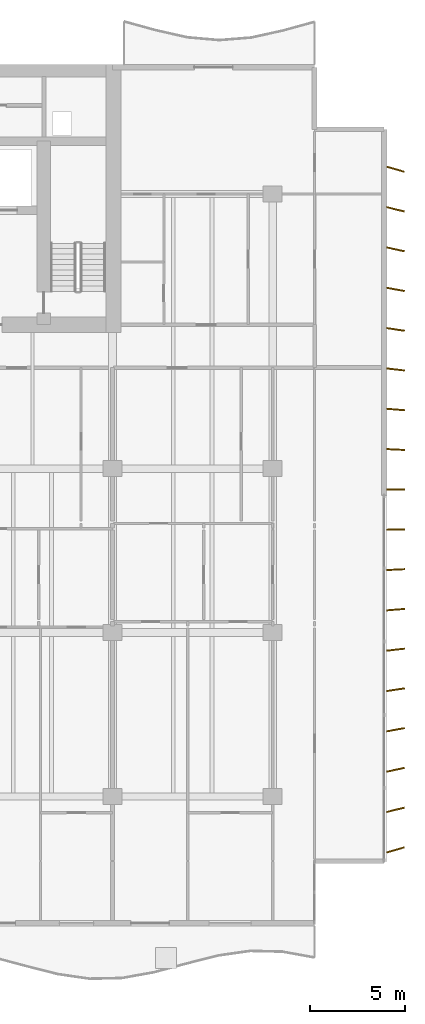
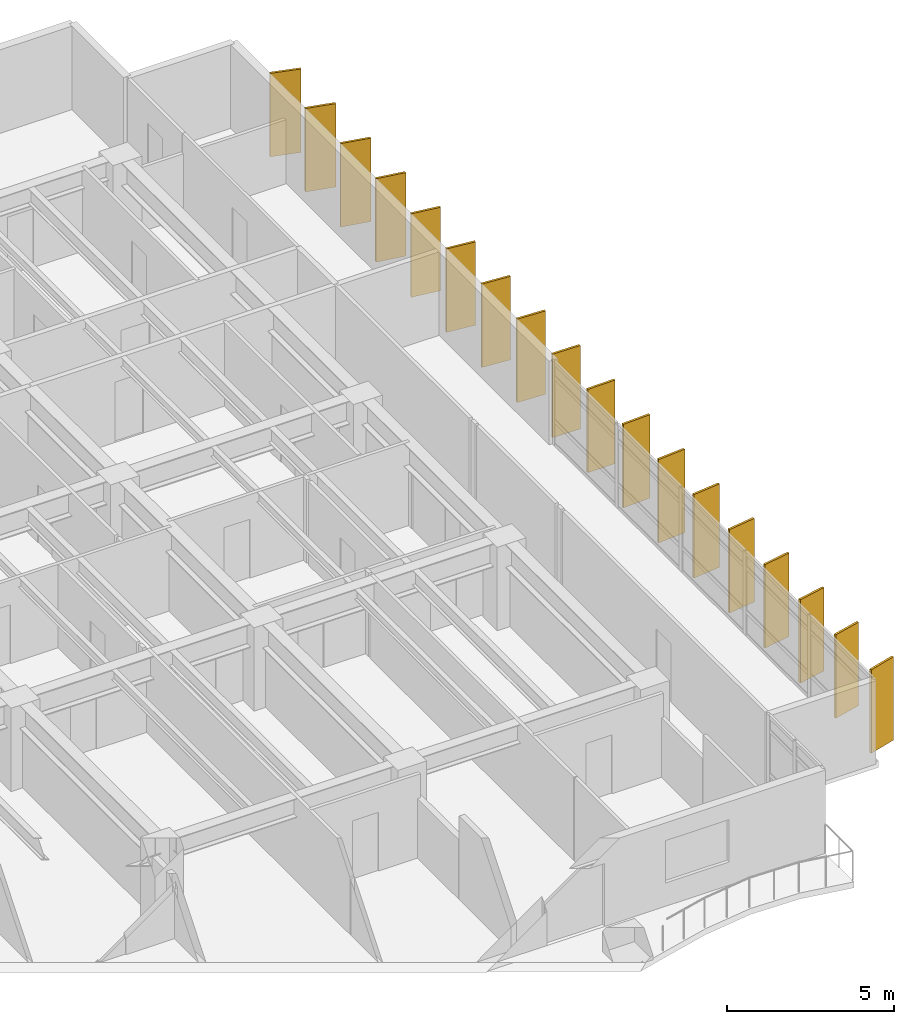
# One storey, part 18 of 18: 18 shading devices.
"""IFC4 building model written with IfcOpenShell, lengths in metres."""

from ifc_helpers import new_model, si_unit, direction, frame, origin, origin_2d, place, context, subcontext, project, spatial, rectangle, extrude, material, material_profile, profile_set, type_object, element, save


model = new_model("IFC4")

# Units and contexts
model_context = context("Model", 3, precision=1e-05, world=origin(), true_north=direction((0.0, 1.0)))
body_context = subcontext(model_context, "Body", "Model", "MODEL_VIEW")
ifc_project = project(units=[si_unit("LENGTHUNIT", "METRE"), si_unit("AREAUNIT", "SQUARE_METRE"), si_unit("VOLUMEUNIT", "CUBIC_METRE"), si_unit("PLANEANGLEUNIT", "RADIAN"), si_unit("MASSUNIT", "GRAM", prefix="KILO")], contexts=[model_context])

# Site, building, storey
site_placement = place(None, origin())
site = spatial("IfcSite", under=ifc_project, at=site_placement, CompositionType="ELEMENT")
building_placement = place(site_placement, origin())
building = spatial("IfcBuilding", under=site, at=building_placement, Name="Caelmar Bay Residences", CompositionType="ELEMENT")
storey_placement = place(building_placement, frame((0.0, 0.0, 129.0)))
storey = spatial("IfcBuildingStorey", under=building, at=storey_placement, Name="L35", CompositionType="ELEMENT", Elevation=129.0)

# Shading devices
ifc_material = material(Name="Anodised architectural bronze aluminium 6063-T6", Category="aluminium")
ifc_material_profile = material_profile(ifc_material, rectangle(XDim=0.074951171875, YDim=0.949951171875, at=origin_2d()), Name="BRONZE-FIN-75X950")
ifc_profile_set = profile_set([ifc_material_profile], Name="Anodised architectural bronze aluminium 6063-T6")
shading_device_type = type_object("IfcShadingDeviceType", Name="SHD-FIN-950", PredefinedType="USERDEFINED", material=ifc_profile_set)
for number, where, z_axis, x_axis, name in (
    (1, (74.35009765625, 9.39990234375, 0.0), (0.0, 0.0, 1.0), (-0.275637355817, 0.961261695938, 0.0), "L35 East Bronze Solar Fin 1"),
    (2, (74.35009765625, 11.5, 0.0), (0.0, 0.0, 1.0), (-0.243953546137, 0.969786918517, 0.0), "L35 East Bronze Solar Fin 2"),
    (3, (74.35009765625, 13.60009765625, 0.0), (0.0, 0.0, 1.0), (-0.212007109922, 0.977268123568, 0.0), "L35 East Bronze Solar Fin 3"),
    (4, (74.35009765625, 15.699951171875, 0.0), (0.0, 0.0, 1.0), (-0.179660748593, 0.98372862895, 0.0), "L35 East Bronze Solar Fin 4"),
    (5, (74.35009765625, 17.800048828125, 0.0), (0.0, 0.0, 1.0), (-0.147291543397, 0.989093120613, 0.0), "L35 East Bronze Solar Fin 5"),
    (6, (74.35009765625, 19.89990234375, 0.0), (0.0, 0.0, 1.0), (-0.114763772489, 0.993392810787, 0.0), "L35 East Bronze Solar Fin 6"),
    (7, (74.35009765625, 22.0, 0.0), (0.0, 0.0, 1.0), (-0.08211245342, 0.996623070671, 0.0), "L35 East Bronze Solar Fin 7"),
    (8, (74.35009765625, 24.10009765625, 0.0), (0.0, 0.0, 1.0), (-0.049198415926, 0.998789024705, 0.0), "L35 East Bronze Solar Fin 8"),
    (9, (74.35009765625, 26.199951171875, 0.0), (0.0, 0.0, 1.0), (-0.016405359001, 0.999865423043, 0.0), "L35 East Bronze Solar Fin 9"),
    (10, (74.35009765625, 28.300048828125, 0.0), (0.0, 0.0, 1.0), (0.016405359001, 0.999865423043, 0.0), "L35 East Bronze Solar Fin 10"),
    (11, (74.35009765625, 30.39990234375, 0.0), (0.0, 0.0, 1.0), (0.049198415926, 0.998789024705, 0.0), "L35 East Bronze Solar Fin 11"),
    (12, (74.35009765625, 32.5, 0.0), (0.0, 0.0, 1.0), (0.08211245342, 0.996623070671, 0.0), "L35 East Bronze Solar Fin 12"),
    (13, (74.35009765625, 34.60009765625, 0.0), (0.0, 0.0, 1.0), (0.114763772489, 0.993392810787, 0.0), "L35 East Bronze Solar Fin 13"),
    (14, (74.35009765625, 36.699951171875, 0.0), (0.0, 0.0, 1.0), (0.147291543397, 0.989093120613, 0.0), "L35 East Bronze Solar Fin 14"),
    (15, (74.35009765625, 38.800048828125, 0.0), (0.0, 0.0, 1.0), (0.179660748593, 0.98372862895, 0.0), "L35 East Bronze Solar Fin 15"),
    (16, (74.35009765625, 40.89990234375, 0.0), (0.0, 0.0, 1.0), (0.212007109922, 0.977268123568, 0.0), "L35 East Bronze Solar Fin 16"),
    (17, (74.35009765625, 43.0, 0.0), (0.0, 0.0, 1.0), (0.243953546137, 0.969786918517, 0.0), "L35 East Bronze Solar Fin 17"),
    (18, (74.35009765625, 45.10009765625, 0.0), (0.0, 0.0, 1.0), (0.275637355817, 0.961261695938, 0.0), "L35 East Bronze Solar Fin 18"),
):
    element("IfcShadingDevice", number, at=place(storey_placement, frame(where, z_axis=z_axis, x_axis=x_axis)), inside=storey, type_object=shading_device_type, Name=name, ObjectType="FIN", PredefinedType="USERDEFINED", context=body_context, shape_type="SweptSolid", body=[
        extrude(rectangle(XDim=0.074951171875, YDim=0.949951171875, at=origin_2d()), origin(), (0.0, 0.0, 1.0), 3.050048828125),
    ])

save(model, "model.ifc")
